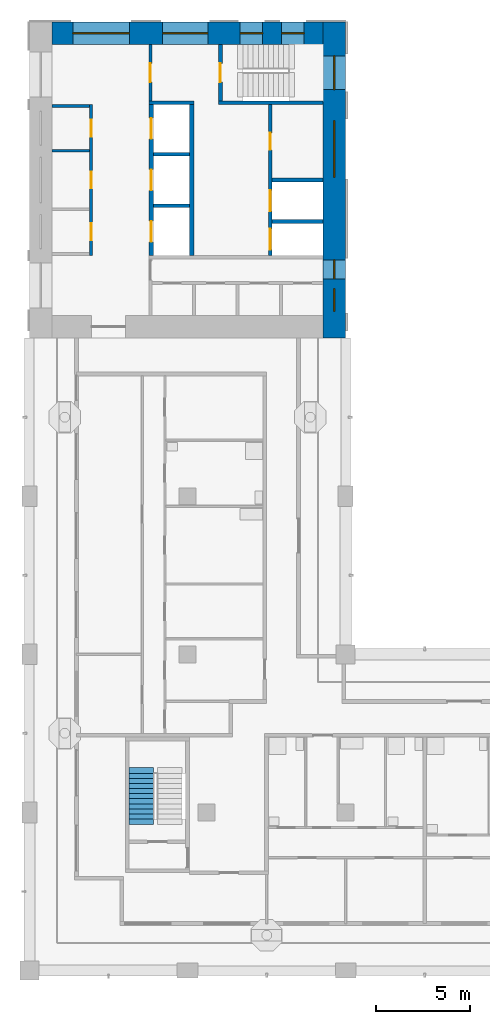
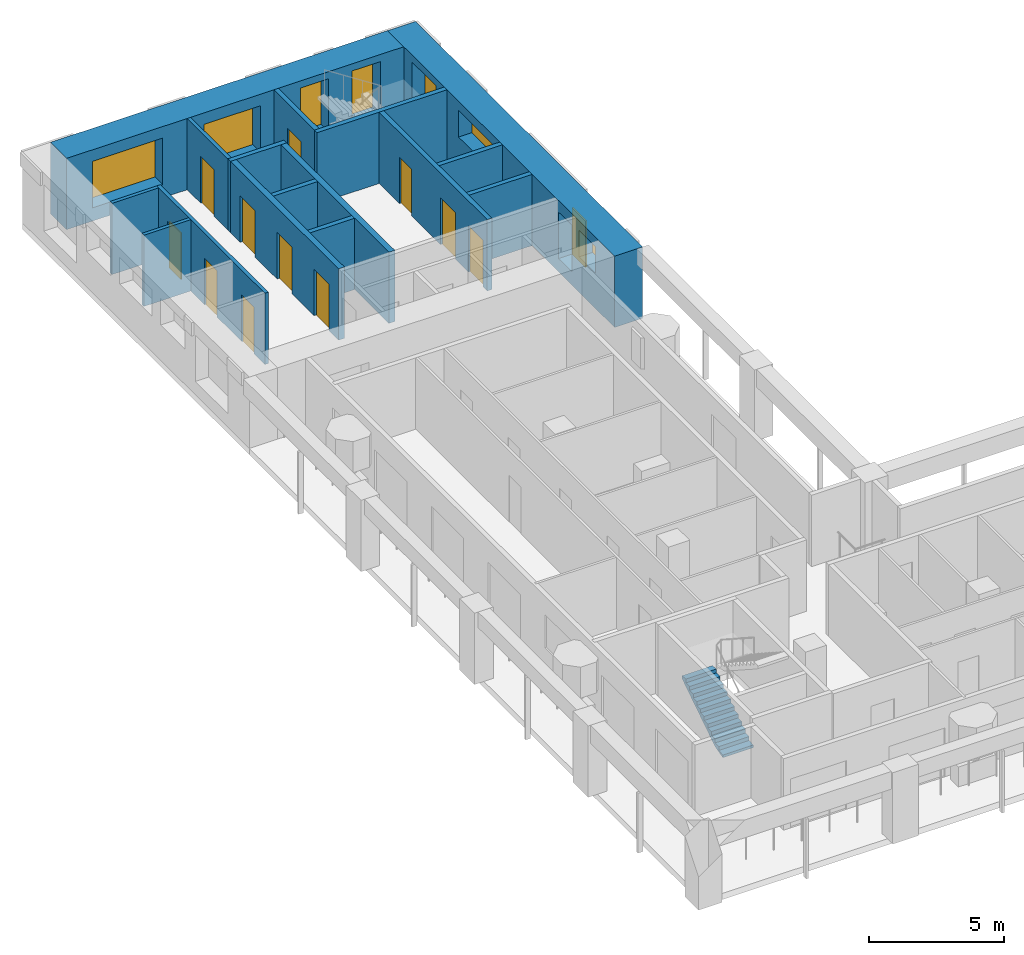
# One storey, part 6 of 12: 16 walls, 11 doors, 8 windows, 1 stair flight, 19 openings, 1 element without a shape of its own.
"""IFC4 building model written with IfcOpenShell, lengths in metres."""

from ifc_helpers import new_model, si_unit, direction, frame, frame_2d, origin, place, context, subcontext, project, spatial, polyline, rectangle, outline, extrude, material, layer, layer_set, type_object, element, fill, aggregate, save


model = new_model("IFC4")

# Units and contexts
model_context = context("Model", 3, precision=1e-05, world=origin(), true_north=direction((0.0, 1.0)))
body_context = subcontext(model_context, "Body", "Model", "MODEL_VIEW")
ifc_project = project(units=[si_unit("LENGTHUNIT", "METRE"), si_unit("AREAUNIT", "SQUARE_METRE"), si_unit("VOLUMEUNIT", "CUBIC_METRE"), si_unit("PLANEANGLEUNIT", "RADIAN"), si_unit("MASSUNIT", "GRAM", prefix="KILO")], contexts=[model_context])

# Site, building, storey
site_placement = place(None, origin())
site = spatial("IfcSite", under=ifc_project, at=site_placement, CompositionType="ELEMENT")
building_placement = place(site_placement, origin())
building = spatial("IfcBuilding", under=site, at=building_placement, Name="Vermilion Gate Residences", CompositionType="ELEMENT")
storey_placement = place(building_placement, frame((0.0, 0.0, 235.199951171875)))
storey = spatial("IfcBuildingStorey", under=building, at=storey_placement, Name="L61", CompositionType="ELEMENT", Elevation=235.199951171875)

# Walls
ifc_material_1 = material(Name="Masonry blockwork", Category="masonry")
ifc_layer_1 = layer(ifc_material_1, 0.14990234375)
ifc_layer_set_1 = layer_set([ifc_layer_1], Name="BLOCKWORK PARTITION 150 EI 120")
wall_type_1 = type_object("IfcWallType", Name="BLOCKWORK PARTITION 150 EI 120", PredefinedType="PARTITIONING", material=ifc_layer_set_1)
for number, where, z_axis, x_axis, name in (
    (1, (9.60009765625, 54.324951171875, 0.0), (0.0, 0.0, 1.0), (1.0, 0.0, 0.0), "Core room partition B61-RW-W"),
    (2, (9.60009765625, 51.955078125, 0.0), (0.0, 0.0, 1.0), (1.0, 0.0, 0.0), "Core room partition B61-SR-P0"),
):
    element("IfcWall", number, at=place(storey_placement, frame(where, z_axis=z_axis, x_axis=x_axis)), inside=storey, type_object=wall_type_1, Name=name, PredefinedType="PARTITIONING", context=body_context, shape_type="SweptSolid", body=[
        extrude(rectangle(XDim=2.0, YDim=0.14990234375, at=frame_2d((1.0, 0.0))), origin(), (0.0, 0.0, 1.0), 3.219970703125),
    ])

# Wall, openings, doors
wall_1_placement = place(storey_placement, frame((11.675048828125, 54.39990234375, 0.0), z_axis=(0.0, 0.0, 1.0), x_axis=(0.0, -1.0, 0.0)))
wall_1 = element("IfcWall", 3, at=wall_1_placement, inside=storey, type_object=wall_type_1, Name="Core room partition B61-LR-F", PredefinedType="PARTITIONING", context=body_context, shape_type="SweptSolid", body=[
    extrude(rectangle(XDim=8.0, YDim=0.14990234375, at=frame_2d((4.0, 0.0))), origin(), (0.0, 0.0, 1.0), 3.219970703125),
])
opening_1_placement = place(wall_1_placement, frame((0.81005859375, 0.0, 0.0)))
opening_1 = element("IfcOpeningElement", 4, at=opening_1_placement, cuts=wall_1, Name="Opening DK61102", PredefinedType="OPENING", context=body_context, shape_type="SweptSolid", body=[
    extrude(rectangle(XDim=0.89990234375, YDim=2.10009765625, at=frame_2d((0.449951171875, 1.050048828125))), frame((0.0, 0.0849609375, 0.0), z_axis=(0.0, -1.0, 0.0), x_axis=(1.0, 0.0, 0.0)), (0.0, 0.0, 1.0), 0.169921875),
])
opening_2_placement = place(wall_1_placement, frame((3.550048828125, 0.0, 0.0)))
opening_2 = element("IfcOpeningElement", 5, at=opening_2_placement, cuts=wall_1, Name="Opening DK61103", PredefinedType="OPENING", context=body_context, shape_type="SweptSolid", body=[
    extrude(rectangle(XDim=0.89990234375, YDim=2.10009765625, at=frame_2d((0.449951171875, 1.050048828125))), frame((0.0, 0.0849609375, 0.0), z_axis=(0.0, -1.0, 0.0), x_axis=(1.0, 0.0, 0.0)), (0.0, 0.0, 1.0), 0.169921875),
])
opening_3_placement = place(wall_1_placement, frame((6.2900390625, 0.0, 0.0)))
opening_3 = element("IfcOpeningElement", 6, at=opening_3_placement, cuts=wall_1, Name="Opening DK61104", PredefinedType="OPENING", context=body_context, shape_type="SweptSolid", body=[
    extrude(rectangle(XDim=0.89990234375, YDim=2.10009765625, at=frame_2d((0.449951171875, 1.050048828125))), frame((0.0, 0.0849609375, 0.0), z_axis=(0.0, -1.0, 0.0), x_axis=(1.0, 0.0, 0.0)), (0.0, 0.0, 1.0), 0.169921875),
])
ifc_material_2 = material(Name="Steel", Category="steel")
door_type_1 = type_object("IfcDoorType", Name="SERVICE ROOM DOOR FD60 900 X 2100", OperationType="SINGLE_SWING_LEFT", PredefinedType="DOOR", material=ifc_material_2)
door_1_placement = place(opening_1_placement, origin())
door_1 = element("IfcDoor", 7, at=door_1_placement, inside=storey, type_object=door_type_1, Name="Electrical room B61", OperationType="SINGLE_SWING_LEFT", OverallHeight=2.10009765625, OverallWidth=0.89990234375, PredefinedType="DOOR", context=body_context, shape_type="SweptSolid", body=[
    extrude(rectangle(XDim=0.89990234375, YDim=2.10009765625, at=frame_2d((0.449951171875, 1.050048828125))), frame((0.0, 0.02490234375, 0.0), z_axis=(0.0, -1.0, 0.0), x_axis=(1.0, 0.0, 0.0)), (0.0, 0.0, 1.0), 0.050048828125),
])
fill(opening_1, door_1)
door_2_placement = place(opening_2_placement, frame((0.89990234375, 0.0, 0.0), z_axis=(0.0, 0.0, 1.0), x_axis=(-1.0, 0.0, 0.0)))
door_2 = element("IfcDoor", 8, at=door_2_placement, inside=storey, type_object=door_type_1, Name="Communications room B61", OperationType="SINGLE_SWING_RIGHT", OverallHeight=2.10009765625, OverallWidth=0.89990234375, PredefinedType="DOOR", context=body_context, shape_type="SweptSolid", body=[
    extrude(rectangle(XDim=0.89990234375, YDim=2.10009765625, at=frame_2d((0.449951171875, 1.050048828125))), frame((0.0, 0.02490234375, 0.0), z_axis=(0.0, -1.0, 0.0), x_axis=(1.0, 0.0, 0.0)), (0.0, 0.0, 1.0), 0.050048828125),
])
fill(opening_2, door_2)
door_3_placement = place(opening_3_placement, frame((0.89990234375, 0.0, 0.0), z_axis=(0.0, 0.0, 1.0), x_axis=(-1.0, 0.0, 0.0)))
door_3 = element("IfcDoor", 9, at=door_3_placement, inside=storey, type_object=door_type_1, Name="Refuse room B61", OperationType="SINGLE_SWING_RIGHT", OverallHeight=2.10009765625, OverallWidth=0.89990234375, PredefinedType="DOOR", context=body_context, shape_type="SweptSolid", body=[
    extrude(rectangle(XDim=0.89990234375, YDim=2.10009765625, at=frame_2d((0.449951171875, 1.050048828125))), frame((0.0, 0.02490234375, 0.0), z_axis=(0.0, -1.0, 0.0), x_axis=(1.0, 0.0, 0.0)), (0.0, 0.0, 1.0), 0.050048828125),
])
fill(opening_3, door_3)

# Wall, opening, door
wall_2_placement = place(storey_placement, frame((14.824951171875, 57.60009765625, 0.0), z_axis=(0.0, 0.0, 1.0), x_axis=(0.0, -1.0, 0.0)))
wall_2 = element("IfcWall", 10, at=wall_2_placement, inside=storey, type_object=wall_type_1, Name="Core room partition B61-VW-S", PredefinedType="PARTITIONING", context=body_context, shape_type="SweptSolid", body=[
    extrude(rectangle(XDim=3.0, YDim=0.14990234375, at=frame_2d((1.5, 0.0))), origin(), (0.0, 0.0, 1.0), 3.219970703125),
])
opening_4_placement = place(wall_2_placement, frame((1.0, 0.0, 0.0)))
opening_4 = element("IfcOpeningElement", 11, at=opening_4_placement, cuts=wall_2, Name="Opening DK61111", PredefinedType="OPENING", context=body_context, shape_type="SweptSolid", body=[
    extrude(rectangle(XDim=1.0, YDim=2.10009765625, at=frame_2d((0.5, 1.050048828125))), frame((0.0, 0.0849609375, 0.0), z_axis=(0.0, -1.0, 0.0), x_axis=(1.0, 0.0, 0.0)), (0.0, 0.0, 1.0), 0.169921875),
])
ifc_material_3 = material(Name="Steel", Category="steel")
door_type_2 = type_object("IfcDoorType", Name="FIRE DOOR FD60 1000 X 2100", OperationType="SINGLE_SWING_LEFT", PredefinedType="DOOR", material=ifc_material_3)
door_4_placement = place(opening_4_placement, frame((1.0, 0.0, 0.0), z_axis=(0.0, 0.0, 1.0), x_axis=(-1.0, 0.0, 0.0)))
door_4 = element("IfcDoor", 12, at=door_4_placement, inside=storey, type_object=door_type_2, Name="Stair vestibule door B61", OperationType="SINGLE_SWING_RIGHT", OverallHeight=2.10009765625, OverallWidth=1.0, PredefinedType="DOOR", context=body_context, shape_type="SweptSolid", body=[
    extrude(rectangle(XDim=1.0, YDim=2.10009765625, at=frame_2d((0.5, 1.050048828125))), frame((0.0, 0.02490234375, 0.0), z_axis=(0.0, -1.0, 0.0), x_axis=(1.0, 0.0, 0.0)), (0.0, 0.0, 1.0), 0.050048828125),
])
fill(opening_4, door_4)

# Walls
ifc_material_4 = material(Name="Concrete C60", Category="concrete")
ifc_layer_2 = layer(ifc_material_4, 0.199951171875)
ifc_layer_set_2 = layer_set([ifc_layer_2], Name="RC CORE INTERNAL WALL 200 C60")
wall_type_2 = type_object("IfcWallType", Name="RC CORE INTERNAL WALL 200 C60", PredefinedType="SHEAR", material=ifc_layer_set_2)
for number, where, z_axis, x_axis, name in (
    (13, (15.0, 51.7666015625, 0.0), (0.0, 0.0, 1.0), (1.0, 0.0, 0.0), "Core internal wall B61-HR-D1"),
    (14, (15.0, 49.033447265625, 0.0), (0.0, 0.0, 1.0), (1.0, 0.0, 0.0), "Core internal wall B61-HR-D2"),
):
    element("IfcWall", number, at=place(storey_placement, frame(where, z_axis=z_axis, x_axis=x_axis)), inside=storey, type_object=wall_type_2, Name=name, PredefinedType="SHEAR", context=body_context, shape_type="SweptSolid", body=[
        extrude(rectangle(XDim=1.89990234375, YDim=0.199951171875, at=frame_2d((0.949951171875, 0.0))), origin(), (0.0, 0.0, 1.0), 3.219970703125),
    ])
for number, where, z_axis, x_axis, name in (
    (15, (21.300048828125, 50.39990234375, 0.0), (0.0, 0.0, 1.0), (1.0, 0.0, 0.0), "Core internal wall B61-FF-D0"),
    (16, (21.300048828125, 48.199951171875, 0.0), (0.0, 0.0, 1.0), (1.0, 0.0, 0.0), "Core internal wall B61-FF-D1"),
):
    element("IfcWall", number, at=place(storey_placement, frame(where, z_axis=z_axis, x_axis=x_axis)), inside=storey, type_object=wall_type_2, Name=name, PredefinedType="SHEAR", context=body_context, shape_type="SweptSolid", body=[
        extrude(rectangle(XDim=2.699951171875, YDim=0.199951171875, at=frame_2d((1.35009765625, 0.0))), origin(), (0.0, 0.0, 1.0), 3.219970703125),
    ])

# Wall, openings, doors
wall_3_placement = place(storey_placement, frame((21.199951171875, 54.39990234375, 0.0), z_axis=(0.0, 0.0, 1.0), x_axis=(0.0, -1.0, 0.0)))
wall_3 = element("IfcWall", 17, at=wall_3_placement, inside=storey, type_object=wall_type_2, Name="Core internal wall B61-FF-F", PredefinedType="SHEAR", context=body_context, shape_type="SweptSolid", body=[
    extrude(rectangle(XDim=8.0, YDim=0.199951171875, at=frame_2d((4.0, 0.0))), origin(), (0.0, 0.0, 1.0), 3.219970703125),
])
opening_5_placement = place(wall_3_placement, frame((1.5, 0.0, 0.0)))
opening_5 = element("IfcOpeningElement", 18, at=opening_5_placement, cuts=wall_3, Name="Opening DK61108", PredefinedType="OPENING", context=body_context, shape_type="SweptSolid", body=[
    extrude(rectangle(XDim=0.89990234375, YDim=2.10009765625, at=frame_2d((0.449951171875, 1.050048828125))), frame((0.0, 0.10986328125, 0.0), z_axis=(0.0, -1.0, 0.0), x_axis=(1.0, 0.0, 0.0)), (0.0, 0.0, 1.0), 0.219970703125),
])
opening_6_placement = place(wall_3_placement, frame((4.550048828125, 0.0, 0.0)))
opening_6 = element("IfcOpeningElement", 19, at=opening_6_placement, cuts=wall_3, Name="Opening LD", PredefinedType="OPENING", context=body_context, shape_type="SweptSolid", body=[
    extrude(rectangle(XDim=1.10009765625, YDim=2.10009765625, at=frame_2d((0.550048828125, 1.050048828125))), frame((0.0, 0.10986328125, 0.0), z_axis=(0.0, -1.0, 0.0), x_axis=(1.0, 0.0, 0.0)), (0.0, 0.0, 1.0), 0.219970703125),
])
opening_7_placement = place(wall_3_placement, frame((6.60009765625, 0.0, 0.0)))
opening_7 = element("IfcOpeningElement", 20, at=opening_7_placement, cuts=wall_3, Name="Opening LD", PredefinedType="OPENING", context=body_context, shape_type="SweptSolid", body=[
    extrude(rectangle(XDim=1.10009765625, YDim=2.10009765625, at=frame_2d((0.550048828125, 1.050048828125))), frame((0.0, 0.10986328125, 0.0), z_axis=(0.0, -1.0, 0.0), x_axis=(1.0, 0.0, 0.0)), (0.0, 0.0, 1.0), 0.219970703125),
])
ifc_material_5 = material(Name="Stainless steel", Category="steel")
door_type_3 = type_object("IfcDoorType", Name="LIFT LANDING DOOR E60 1100 X 2100", OperationType="DOUBLE_DOOR_SLIDING", PredefinedType="DOOR", material=ifc_material_5)
door_5_placement = place(opening_6_placement, origin())
door_5 = element("IfcDoor", 21, at=door_5_placement, inside=storey, type_object=door_type_3, Name="Lift landing door LFB1", OperationType="DOUBLE_DOOR_SLIDING", OverallHeight=2.10009765625, OverallWidth=1.10009765625, PredefinedType="DOOR", context=body_context, shape_type="SweptSolid", body=[
    extrude(rectangle(XDim=1.10009765625, YDim=2.10009765625, at=frame_2d((0.550048828125, 1.050048828125))), frame((0.0, 0.02490234375, 0.0), z_axis=(0.0, -1.0, 0.0), x_axis=(1.0, 0.0, 0.0)), (0.0, 0.0, 1.0), 0.050048828125),
])
fill(opening_6, door_5)
door_6_placement = place(opening_7_placement, origin())
door_6 = element("IfcDoor", 22, at=door_6_placement, inside=storey, type_object=door_type_3, Name="Lift landing door LCB1", OperationType="DOUBLE_DOOR_SLIDING", OverallHeight=2.10009765625, OverallWidth=1.10009765625, PredefinedType="DOOR", context=body_context, shape_type="SweptSolid", body=[
    extrude(rectangle(XDim=1.10009765625, YDim=2.10009765625, at=frame_2d((0.550048828125, 1.050048828125))), frame((0.0, 0.02490234375, 0.0), z_axis=(0.0, -1.0, 0.0), x_axis=(1.0, 0.0, 0.0)), (0.0, 0.0, 1.0), 0.050048828125),
])
fill(opening_7, door_6)
door_7_placement = place(opening_5_placement, origin())
door_7 = element("IfcDoor", 23, at=door_7_placement, inside=storey, type_object=door_type_1, Name="Electrical riser B61", OperationType="SINGLE_SWING_LEFT", OverallHeight=2.10009765625, OverallWidth=0.89990234375, PredefinedType="DOOR", context=body_context, shape_type="SweptSolid", body=[
    extrude(rectangle(XDim=0.89990234375, YDim=2.10009765625, at=frame_2d((0.449951171875, 1.050048828125))), frame((0.0, 0.02490234375, 0.0), z_axis=(0.0, -1.0, 0.0), x_axis=(1.0, 0.0, 0.0)), (0.0, 0.0, 1.0), 0.050048828125),
])
fill(opening_5, door_7)

# Walls
wall_4_placement = place(storey_placement, frame((14.75, 54.5, 0.0), z_axis=(0.0, 0.0, 1.0), x_axis=(1.0, 0.0, 0.0)))
element("IfcWall", 24, at=wall_4_placement, inside=storey, type_object=wall_type_2, Name="Core internal wall B61-WDIV1", PredefinedType="SHEAR", context=body_context, shape_type="SweptSolid", body=[
    extrude(rectangle(XDim=2.39990234375, YDim=0.199951171875, at=frame_2d((1.199951171875, 0.0))), origin(), (0.0, 0.0, 1.0), 3.219970703125),
])
wall_5_placement = place(storey_placement, frame((18.449951171875, 54.5, 0.0), z_axis=(0.0, 0.0, 1.0), x_axis=(1.0, 0.0, 0.0)))
element("IfcWall", 25, at=wall_5_placement, inside=storey, type_object=wall_type_2, Name="Core internal wall B61-WDIV2", PredefinedType="SHEAR", context=body_context, shape_type="SweptSolid", body=[
    extrude(rectangle(XDim=5.550048828125, YDim=0.199951171875, at=frame_2d((2.77490234375, 0.0))), origin(), (0.0, 0.0, 1.0), 3.219970703125),
])

# Wall, opening, door
wall_6_placement = place(storey_placement, frame((18.550048828125, 57.60009765625, 0.0), z_axis=(0.0, 0.0, 1.0), x_axis=(0.0, -1.0, 0.0)))
wall_6 = element("IfcWall", 26, at=wall_6_placement, inside=storey, type_object=wall_type_2, Name="Core internal wall B61-STW-S", PredefinedType="SHEAR", context=body_context, shape_type="SweptSolid", body=[
    extrude(rectangle(XDim=3.0, YDim=0.199951171875, at=frame_2d((1.5, 0.0))), origin(), (0.0, 0.0, 1.0), 3.219970703125),
])
opening_8_placement = place(wall_6_placement, frame((1.0, 0.0, 0.0)))
opening_8 = element("IfcOpeningElement", 27, at=opening_8_placement, cuts=wall_6, Name="Opening DK61112", PredefinedType="OPENING", context=body_context, shape_type="SweptSolid", body=[
    extrude(rectangle(XDim=1.0, YDim=2.10009765625, at=frame_2d((0.5, 1.050048828125))), frame((0.0, 0.10986328125, 0.0), z_axis=(0.0, -1.0, 0.0), x_axis=(1.0, 0.0, 0.0)), (0.0, 0.0, 1.0), 0.219970703125),
])
door_8_placement = place(opening_8_placement, origin())
door_8 = element("IfcDoor", 28, at=door_8_placement, inside=storey, type_object=door_type_2, Name="Stair door B61", OperationType="SINGLE_SWING_LEFT", OverallHeight=2.10009765625, OverallWidth=1.0, PredefinedType="DOOR", context=body_context, shape_type="SweptSolid", body=[
    extrude(rectangle(XDim=1.0, YDim=2.10009765625, at=frame_2d((0.5, 1.050048828125))), frame((0.0, 0.02490234375, 0.0), z_axis=(0.0, -1.0, 0.0), x_axis=(1.0, 0.0, 0.0)), (0.0, 0.0, 1.0), 0.050048828125),
])
fill(opening_8, door_8)

# Wall, openings, windows
ifc_material_6 = material(Name="Concrete C50 red-oxide pigmented", Category="concrete")
ifc_layer_3 = layer(ifc_material_6, 1.199951171875)
ifc_layer_set_3 = layer_set([ifc_layer_3], Name="RC CORE WALL 1200 C50 RED OXIDE")
wall_type_3 = type_object("IfcWallType", Name="RC CORE WALL 1200 C50 RED OXIDE", PredefinedType="SHEAR", material=ifc_layer_set_3)
wall_7_placement = place(storey_placement, frame((24.60009765625, 58.800048828125, 0.0), z_axis=(0.0, 0.0, 1.0), x_axis=(0.0, -1.0, 0.0)))
wall_7 = element("IfcWall", 29, at=wall_7_placement, inside=storey, type_object=wall_type_3, Name="Core wall B61-OUT-B1", PredefinedType="SHEAR", context=body_context, shape_type="SweptSolid", body=[
    extrude(rectangle(XDim=16.800048828125, YDim=1.199951171875, at=frame_2d((8.39990234375, 0.0))), origin(), (0.0, 0.0, 1.0), 3.219970703125),
])
opening_9_placement = place(wall_7_placement, frame((1.800048828125, 0.0, 0.5)))
opening_9 = element("IfcOpeningElement", 30, at=opening_9_placement, cuts=wall_7, Name="Opening WKB6106", PredefinedType="OPENING", context=body_context, shape_type="SweptSolid", body=[
    extrude(rectangle(XDim=1.800048828125, YDim=2.39990234375, at=frame_2d((0.89990234375, 1.199951171875))), frame((0.0, 0.60986328125, 0.0), z_axis=(0.0, -1.0, 0.0), x_axis=(1.0, 0.0, 0.0)), (0.0, 0.0, 1.0), 1.219970703125),
])
opening_10_placement = place(wall_7_placement, frame((5.25, 0.0, 1.60009765625)))
opening_10 = element("IfcOpeningElement", 31, at=opening_10_placement, cuts=wall_7, Name="Opening WKB6107", PredefinedType="OPENING", context=body_context, shape_type="SweptSolid", body=[
    extrude(rectangle(XDim=3.0, YDim=1.199951171875, at=frame_2d((1.5, 0.60009765625))), frame((0.0, 0.60986328125, 0.0), z_axis=(0.0, -1.0, 0.0), x_axis=(1.0, 0.0, 0.0)), (0.0, 0.0, 1.0), 1.219970703125),
])
opening_11_placement = place(wall_7_placement, frame((12.64990234375, 0.0, 0.60009765625)))
opening_11 = element("IfcOpeningElement", 32, at=opening_11_placement, cuts=wall_7, Name="Opening WKB6108", PredefinedType="OPENING", context=body_context, shape_type="SweptSolid", body=[
    extrude(rectangle(XDim=1.0, YDim=2.10009765625, at=frame_2d((0.5, 1.050048828125))), frame((0.0, 0.60986328125, 0.0), z_axis=(0.0, -1.0, 0.0), x_axis=(1.0, 0.0, 0.0)), (0.0, 0.0, 1.0), 1.219970703125),
])
opening_12_placement = place(wall_7_placement, frame((14.175048828125, 0.0, 1.60009765625)))
opening_12 = element("IfcOpeningElement", 33, at=opening_12_placement, cuts=wall_7, Name="Opening WKB6109", PredefinedType="OPENING", context=body_context, shape_type="SweptSolid", body=[
    extrude(rectangle(XDim=1.199951171875, YDim=1.199951171875, at=frame_2d((0.60009765625, 0.60009765625))), frame((0.0, 0.60986328125, 0.0), z_axis=(0.0, -1.0, 0.0), x_axis=(1.0, 0.0, 0.0)), (0.0, 0.0, 1.0), 1.219970703125),
])
ifc_material_7 = material(Name="Aluminium and clear glass", Category="aluminium")
window_type_1 = type_object("IfcWindowType", Name="CORE CORRIDOR WINDOW 1000 X 2100", PartitioningType="SINGLE_PANEL", PredefinedType="WINDOW", material=ifc_material_7)
window_1_placement = place(opening_11_placement, origin())
window_1 = element("IfcWindow", 34, at=window_1_placement, inside=storey, type_object=window_type_1, Name="Core corridor window", OverallHeight=2.10009765625, OverallWidth=1.0, PartitioningType="SINGLE_PANEL", PredefinedType="WINDOW", context=body_context, shape_type="SweptSolid", body=[
    extrude(rectangle(XDim=1.0, YDim=2.10009765625, at=frame_2d((0.5, 1.050048828125))), frame((0.0, 0.030029296875, 0.0), z_axis=(0.0, -1.0, 0.0), x_axis=(1.0, 0.0, 0.0)), (0.0, 0.0, 1.0), 0.06005859375),
])
fill(opening_11, window_1)
ifc_material_8 = material(Name="Aluminium frame with louvre blades", Category="aluminium")
window_type_2 = type_object("IfcWindowType", Name="CORE LOUVRE 1200 X 1200", PartitioningType="SINGLE_PANEL", PredefinedType="WINDOW", material=ifc_material_8)
window_2_placement = place(opening_12_placement, origin())
window_2 = element("IfcWindow", 35, at=window_2_placement, inside=storey, type_object=window_type_2, Name="Core louvre", OverallHeight=1.199951171875, OverallWidth=1.199951171875, PartitioningType="SINGLE_PANEL", PredefinedType="WINDOW", context=body_context, shape_type="SweptSolid", body=[
    extrude(rectangle(XDim=1.199951171875, YDim=1.199951171875, at=frame_2d((0.60009765625, 0.60009765625))), frame((0.0, 0.030029296875, 0.0), z_axis=(0.0, -1.0, 0.0), x_axis=(1.0, 0.0, 0.0)), (0.0, 0.0, 1.0), 0.06005859375),
])
fill(opening_12, window_2)
ifc_material_9 = material(Name="Aluminium frame with louvre blades", Category="aluminium")
window_type_3 = type_object("IfcWindowType", Name="CORE LOUVRE 3000 X 1200", PartitioningType="SINGLE_PANEL", PredefinedType="WINDOW", material=ifc_material_9)
window_3_placement = place(opening_10_placement, origin())
window_3 = element("IfcWindow", 36, at=window_3_placement, inside=storey, type_object=window_type_3, Name="Core louvre", OverallHeight=1.199951171875, OverallWidth=3.0, PartitioningType="SINGLE_PANEL", PredefinedType="WINDOW", context=body_context, shape_type="SweptSolid", body=[
    extrude(rectangle(XDim=3.0, YDim=1.199951171875, at=frame_2d((1.5, 0.60009765625))), frame((0.0, 0.030029296875, 0.0), z_axis=(0.0, -1.0, 0.0), x_axis=(1.0, 0.0, 0.0)), (0.0, 0.0, 1.0), 0.06005859375),
])
fill(opening_10, window_3)
ifc_material_10 = material(Name="Aluminium and clear glass", Category="aluminium")
window_type_4 = type_object("IfcWindowType", Name="CORE STAIR WINDOW 1800 X 2400", PartitioningType="SINGLE_PANEL", PredefinedType="WINDOW", material=ifc_material_10)
window_4_placement = place(opening_9_placement, origin())
window_4 = element("IfcWindow", 37, at=window_4_placement, inside=storey, type_object=window_type_4, Name="Core stair window", OverallHeight=2.39990234375, OverallWidth=1.800048828125, PartitioningType="SINGLE_PANEL", PredefinedType="WINDOW", context=body_context, shape_type="SweptSolid", body=[
    extrude(rectangle(XDim=1.800048828125, YDim=2.39990234375, at=frame_2d((0.89990234375, 1.199951171875))), frame((0.0, 0.030029296875, 0.0), z_axis=(0.0, -1.0, 0.0), x_axis=(1.0, 0.0, 0.0)), (0.0, 0.0, 1.0), 0.06005859375),
])
fill(opening_9, window_4)

wall_8_placement = place(storey_placement, frame((9.60009765625, 58.199951171875, 0.0), z_axis=(0.0, 0.0, 1.0), x_axis=(1.0, 0.0, 0.0)))
wall_8 = element("IfcWall", 38, at=wall_8_placement, inside=storey, type_object=wall_type_3, Name="Core wall B61-OUT-FR", PredefinedType="SHEAR", context=body_context, shape_type="SweptSolid", body=[
    extrude(rectangle(XDim=14.39990234375, YDim=1.199951171875, at=frame_2d((7.199951171875, 0.0))), origin(), (0.0, 0.0, 1.0), 3.219970703125),
])
opening_13_placement = place(wall_8_placement, frame((1.10498046875, 0.0, 0.60009765625)))
opening_13 = element("IfcOpeningElement", 39, at=opening_13_placement, cuts=wall_8, Name="Opening WKB6110", PredefinedType="OPENING", context=body_context, shape_type="SweptSolid", body=[
    extrude(rectangle(XDim=3.0, YDim=2.10009765625, at=frame_2d((1.5, 1.050048828125))), frame((0.0, 0.60986328125, 0.0), z_axis=(0.0, -1.0, 0.0), x_axis=(1.0, 0.0, 0.0)), (0.0, 0.0, 1.0), 1.219970703125),
])
opening_14_placement = place(wall_8_placement, frame((5.875, 0.0, 0.60009765625)))
opening_14 = element("IfcOpeningElement", 40, at=opening_14_placement, cuts=wall_8, Name="Opening WKB6111", PredefinedType="OPENING", context=body_context, shape_type="SweptSolid", body=[
    extrude(rectangle(XDim=2.39990234375, YDim=2.10009765625, at=frame_2d((1.199951171875, 1.050048828125))), frame((0.0, 0.60986328125, 0.0), z_axis=(0.0, -1.0, 0.0), x_axis=(1.0, 0.0, 0.0)), (0.0, 0.0, 1.0), 1.219970703125),
])
opening_15_placement = place(wall_8_placement, frame((9.993408203125, 0.0, 0.5)))
opening_15 = element("IfcOpeningElement", 41, at=opening_15_placement, cuts=wall_8, Name="Opening WKB6112", PredefinedType="OPENING", context=body_context, shape_type="SweptSolid", body=[
    extrude(rectangle(XDim=1.199951171875, YDim=2.39990234375, at=frame_2d((0.60009765625, 1.199951171875))), frame((0.0, 0.60986328125, 0.0), z_axis=(0.0, -1.0, 0.0), x_axis=(1.0, 0.0, 0.0)), (0.0, 0.0, 1.0), 1.219970703125),
])
opening_16_placement = place(wall_8_placement, frame((12.19677734375, 0.0, 0.5)))
opening_16 = element("IfcOpeningElement", 42, at=opening_16_placement, cuts=wall_8, Name="Opening WKB6113", PredefinedType="OPENING", context=body_context, shape_type="SweptSolid", body=[
    extrude(rectangle(XDim=1.199951171875, YDim=2.39990234375, at=frame_2d((0.60009765625, 1.199951171875))), frame((0.0, 0.60986328125, 0.0), z_axis=(0.0, -1.0, 0.0), x_axis=(1.0, 0.0, 0.0)), (0.0, 0.0, 1.0), 1.219970703125),
])
ifc_material_11 = material(Name="Aluminium and clear glass", Category="aluminium")
window_type_5 = type_object("IfcWindowType", Name="CORE LOBBY WINDOW 2400 X 2100", PartitioningType="SINGLE_PANEL", PredefinedType="WINDOW", material=ifc_material_11)
window_5_placement = place(opening_14_placement, origin())
window_5 = element("IfcWindow", 43, at=window_5_placement, inside=storey, type_object=window_type_5, Name="Core lobby window", OverallHeight=2.10009765625, OverallWidth=2.39990234375, PartitioningType="SINGLE_PANEL", PredefinedType="WINDOW", context=body_context, shape_type="SweptSolid", body=[
    extrude(rectangle(XDim=2.39990234375, YDim=2.10009765625, at=frame_2d((1.199951171875, 1.050048828125))), frame((0.0, 0.030029296875, 0.0), z_axis=(0.0, -1.0, 0.0), x_axis=(1.0, 0.0, 0.0)), (0.0, 0.0, 1.0), 0.06005859375),
])
fill(opening_14, window_5)
ifc_material_12 = material(Name="Aluminium and clear glass", Category="aluminium")
window_type_6 = type_object("IfcWindowType", Name="CORE LOBBY WINDOW 3000 X 2100", PartitioningType="SINGLE_PANEL", PredefinedType="WINDOW", material=ifc_material_12)
window_6_placement = place(opening_13_placement, origin())
window_6 = element("IfcWindow", 44, at=window_6_placement, inside=storey, type_object=window_type_6, Name="Core lobby window", OverallHeight=2.10009765625, OverallWidth=3.0, PartitioningType="SINGLE_PANEL", PredefinedType="WINDOW", context=body_context, shape_type="SweptSolid", body=[
    extrude(rectangle(XDim=3.0, YDim=2.10009765625, at=frame_2d((1.5, 1.050048828125))), frame((0.0, 0.030029296875, 0.0), z_axis=(0.0, -1.0, 0.0), x_axis=(1.0, 0.0, 0.0)), (0.0, 0.0, 1.0), 0.06005859375),
])
fill(opening_13, window_6)
ifc_material_13 = material(Name="Aluminium and clear glass", Category="aluminium")
window_type_7 = type_object("IfcWindowType", Name="CORE STAIR WINDOW 1200 X 2400", PartitioningType="SINGLE_PANEL", PredefinedType="WINDOW", material=ifc_material_13)
window_7_placement = place(opening_15_placement, origin())
window_7 = element("IfcWindow", 45, at=window_7_placement, inside=storey, type_object=window_type_7, Name="Core stair window", OverallHeight=2.39990234375, OverallWidth=1.199951171875, PartitioningType="SINGLE_PANEL", PredefinedType="WINDOW", context=body_context, shape_type="SweptSolid", body=[
    extrude(rectangle(XDim=1.199951171875, YDim=2.39990234375, at=frame_2d((0.60009765625, 1.199951171875))), frame((0.0, 0.030029296875, 0.0), z_axis=(0.0, -1.0, 0.0), x_axis=(1.0, 0.0, 0.0)), (0.0, 0.0, 1.0), 0.06005859375),
])
fill(opening_15, window_7)
window_8_placement = place(opening_16_placement, origin())
window_8 = element("IfcWindow", 46, at=window_8_placement, inside=storey, type_object=window_type_7, Name="Core stair window", OverallHeight=2.39990234375, OverallWidth=1.199951171875, PartitioningType="SINGLE_PANEL", PredefinedType="WINDOW", context=body_context, shape_type="SweptSolid", body=[
    extrude(rectangle(XDim=1.199951171875, YDim=2.39990234375, at=frame_2d((0.60009765625, 1.199951171875))), frame((0.0, 0.030029296875, 0.0), z_axis=(0.0, -1.0, 0.0), x_axis=(1.0, 0.0, 0.0)), (0.0, 0.0, 1.0), 0.06005859375),
])
fill(opening_16, window_8)

# Wall, openings, doors
ifc_material_14 = material(Name="Concrete C60", Category="concrete")
ifc_layer_4 = layer(ifc_material_14, 0.25)
ifc_layer_set_4 = layer_set([ifc_layer_4], Name="RC LIFT SHAFT WALL 250 C60")
wall_type_4 = type_object("IfcWallType", Name="RC LIFT SHAFT WALL 250 C60", PredefinedType="SHEAR", material=ifc_layer_set_4)
wall_9_placement = place(storey_placement, frame((14.875, 54.39990234375, 0.0), z_axis=(0.0, 0.0, 1.0), x_axis=(0.0, -1.0, 0.0)))
wall_9 = element("IfcWall", 47, at=wall_9_placement, inside=storey, type_object=wall_type_4, Name="Lift shaft wall B61-HR-F", PredefinedType="SHEAR", context=body_context, shape_type="SweptSolid", body=[
    extrude(rectangle(XDim=8.0, YDim=0.25, at=frame_2d((4.0, 0.0))), origin(), (0.0, 0.0, 1.0), 3.219970703125),
])
opening_17_placement = place(wall_9_placement, frame((0.716552734375, 0.0, 0.0)))
opening_17 = element("IfcOpeningElement", 48, at=opening_17_placement, cuts=wall_9, Name="Opening LD", PredefinedType="OPENING", context=body_context, shape_type="SweptSolid", body=[
    extrude(rectangle(XDim=1.10009765625, YDim=2.10009765625, at=frame_2d((0.550048828125, 1.050048828125))), frame((0.0, 0.135009765625, 0.0), z_axis=(0.0, -1.0, 0.0), x_axis=(1.0, 0.0, 0.0)), (0.0, 0.0, 1.0), 0.27001953125),
])
opening_18_placement = place(wall_9_placement, frame((3.449951171875, 0.0, 0.0)))
opening_18 = element("IfcOpeningElement", 49, at=opening_18_placement, cuts=wall_9, Name="Opening LD", PredefinedType="OPENING", context=body_context, shape_type="SweptSolid", body=[
    extrude(rectangle(XDim=1.10009765625, YDim=2.10009765625, at=frame_2d((0.550048828125, 1.050048828125))), frame((0.0, 0.135009765625, 0.0), z_axis=(0.0, -1.0, 0.0), x_axis=(1.0, 0.0, 0.0)), (0.0, 0.0, 1.0), 0.27001953125),
])
opening_19_placement = place(wall_9_placement, frame((6.183349609375, 0.0, 0.0)))
opening_19 = element("IfcOpeningElement", 50, at=opening_19_placement, cuts=wall_9, Name="Opening LD", PredefinedType="OPENING", context=body_context, shape_type="SweptSolid", body=[
    extrude(rectangle(XDim=1.10009765625, YDim=2.10009765625, at=frame_2d((0.550048828125, 1.050048828125))), frame((0.0, 0.135009765625, 0.0), z_axis=(0.0, -1.0, 0.0), x_axis=(1.0, 0.0, 0.0)), (0.0, 0.0, 1.0), 0.27001953125),
])
door_9_placement = place(opening_17_placement, origin())
door_9 = element("IfcDoor", 51, at=door_9_placement, inside=storey, type_object=door_type_3, Name="Lift landing door HRB1", OperationType="DOUBLE_DOOR_SLIDING", OverallHeight=2.10009765625, OverallWidth=1.10009765625, PredefinedType="DOOR", context=body_context, shape_type="SweptSolid", body=[
    extrude(rectangle(XDim=1.10009765625, YDim=2.10009765625, at=frame_2d((0.550048828125, 1.050048828125))), frame((0.0, 0.02490234375, 0.0), z_axis=(0.0, -1.0, 0.0), x_axis=(1.0, 0.0, 0.0)), (0.0, 0.0, 1.0), 0.050048828125),
])
fill(opening_17, door_9)
door_10_placement = place(opening_18_placement, origin())
door_10 = element("IfcDoor", 52, at=door_10_placement, inside=storey, type_object=door_type_3, Name="Lift landing door HRB2", OperationType="DOUBLE_DOOR_SLIDING", OverallHeight=2.10009765625, OverallWidth=1.10009765625, PredefinedType="DOOR", context=body_context, shape_type="SweptSolid", body=[
    extrude(rectangle(XDim=1.10009765625, YDim=2.10009765625, at=frame_2d((0.550048828125, 1.050048828125))), frame((0.0, 0.02490234375, 0.0), z_axis=(0.0, -1.0, 0.0), x_axis=(1.0, 0.0, 0.0)), (0.0, 0.0, 1.0), 0.050048828125),
])
fill(opening_18, door_10)
door_11_placement = place(opening_19_placement, origin())
door_11 = element("IfcDoor", 53, at=door_11_placement, inside=storey, type_object=door_type_3, Name="Lift landing door HRB3", OperationType="DOUBLE_DOOR_SLIDING", OverallHeight=2.10009765625, OverallWidth=1.10009765625, PredefinedType="DOOR", context=body_context, shape_type="SweptSolid", body=[
    extrude(rectangle(XDim=1.10009765625, YDim=2.10009765625, at=frame_2d((0.550048828125, 1.050048828125))), frame((0.0, 0.02490234375, 0.0), z_axis=(0.0, -1.0, 0.0), x_axis=(1.0, 0.0, 0.0)), (0.0, 0.0, 1.0), 0.050048828125),
])
fill(opening_19, door_11)

# Wall
wall_10_placement = place(storey_placement, frame((17.02490234375, 54.39990234375, 0.0), z_axis=(0.0, 0.0, 1.0), x_axis=(0.0, -1.0, 0.0)))
element("IfcWall", 54, at=wall_10_placement, inside=storey, type_object=wall_type_4, Name="Lift shaft wall B61-HR-B", PredefinedType="SHEAR", context=body_context, shape_type="SweptSolid", body=[
    extrude(rectangle(XDim=8.0, YDim=0.25, at=frame_2d((4.0, 0.0))), origin(), (0.0, 0.0, 1.0), 3.219970703125),
])

# Stair, stair flight
ifc_material_15 = material(Name="Concrete C50", Category="concrete")
stair_type = type_object("IfcStairType", Name="SPECIAL ESCAPE STAIR 1300", PredefinedType="HALF_TURN_STAIR", material=ifc_material_15)
stair_placement = place(storey_placement, origin())
stair = element("IfcStair", 55, at=stair_placement, inside=storey, type_object=stair_type, Name="Special escape stair STC1-61", PredefinedType="HALF_TURN_STAIR")
ifc_material_16 = material(Name="Concrete C50", Category="concrete")
stair_flight_type = type_object("IfcStairFlightType", Name="STAIR FLIGHT 1300 RC C50", PredefinedType="STRAIGHT", material=ifc_material_16)
stair_flight_placement = place(storey_placement, frame((14.35009765625, 16.449951171875, 0.0), z_axis=(0.0, 0.0, 1.0), x_axis=(0.0, 1.0, 0.0)))
stair_flight = element("IfcStairFlight", 56, at=stair_flight_placement, type_object=stair_flight_type, Name="STC1-61 flight 1", NumberOfRisers=10, NumberOfTreads=9, PredefinedType="STRAIGHT", RiserHeight=0.175, TreadLength=0.27, context=body_context, shape_type="SweptSolid", body=[
    extrude(outline(polyline([(-0.300048828125, -0.14990234375), (-0.300048828125, -0.030029296875), (0.0, 0.0), (0.0, 0.175048828125), (0.27001953125, 0.175048828125), (0.27001953125, 0.35009765625), (0.5400390625, 0.35009765625), (0.5400390625, 0.52490234375), (0.81005859375, 0.52490234375), (0.81005859375, 0.699951171875), (1.080078125, 0.699951171875), (1.080078125, 0.875), (1.35009765625, 0.875), (1.35009765625, 1.050048828125), (1.6201171875, 1.050048828125), (1.6201171875, 1.22509765625), (1.889892578125, 1.22509765625), (1.889892578125, 1.39990234375), (2.159912109375, 1.39990234375), (2.159912109375, 1.574951171875), (2.429931640625, 1.574951171875), (2.429931640625, 1.75), (2.72998046875, 1.719970703125), (2.72998046875, 1.60009765625), (2.429931640625, 1.396484375), (0.275634765625, 0.0), (-0.300048828125, -0.14990234375)])), frame((0.0, 0.64990234375, 0.0), z_axis=(0.0, -1.0, 0.0), x_axis=(1.0, 0.0, 0.0)), (0.0, 0.0, 1.0), 1.300048828125),
])
aggregate(stair, [stair_flight])

save(model, "model.ifc")
